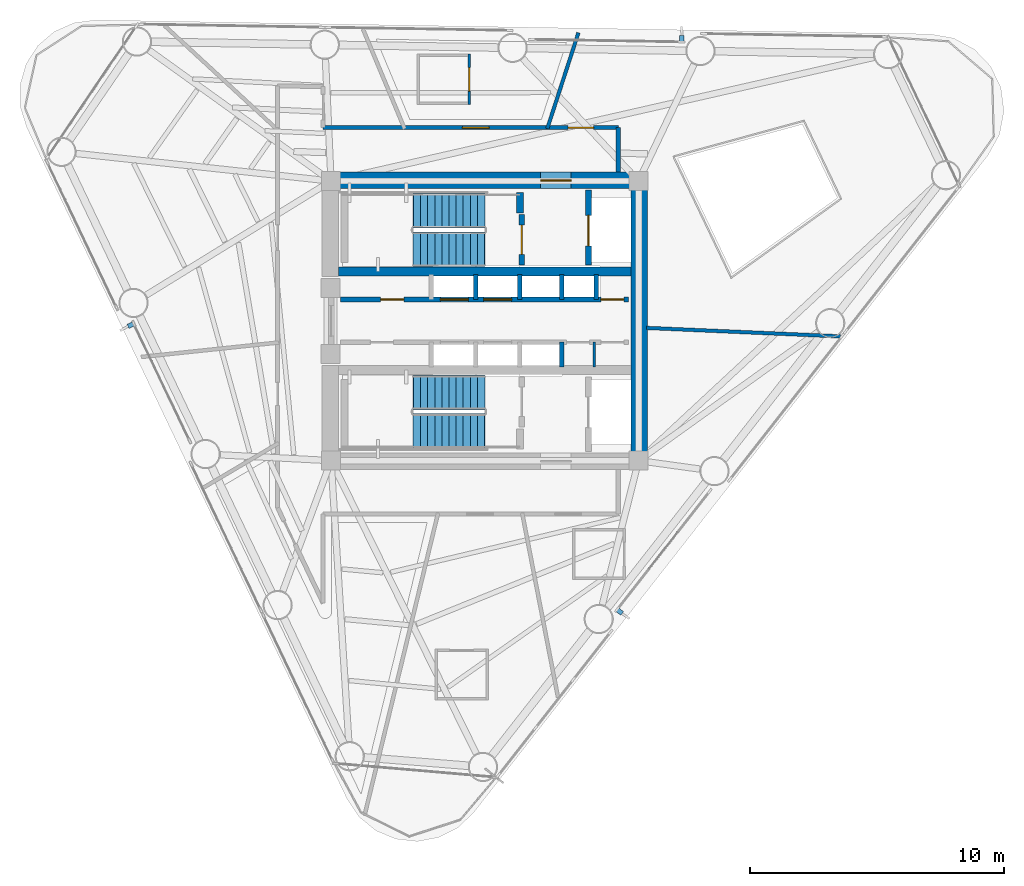
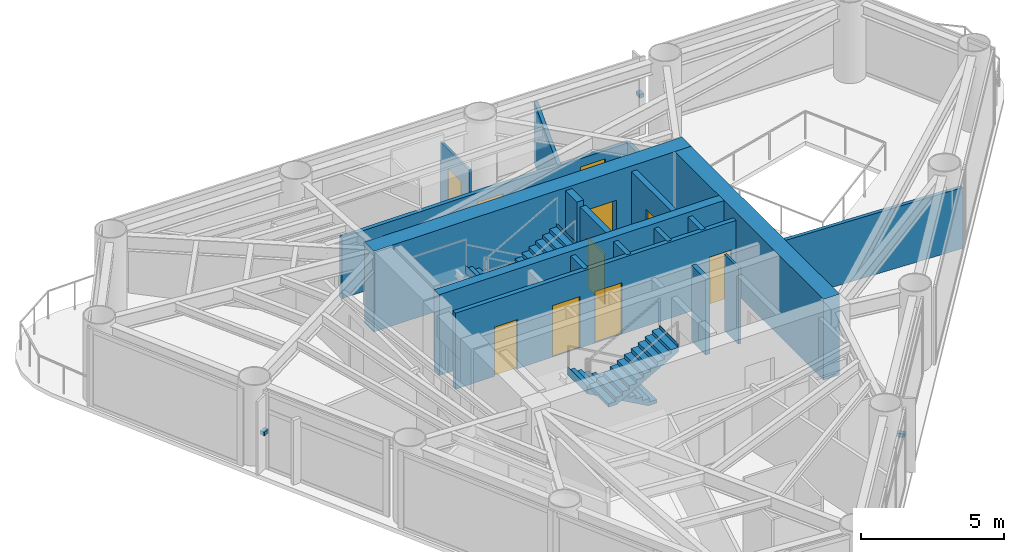
# One storey, part 6 of 9: 18 walls, 10 doors, 4 stair flights, 3 discrete accessories, 10 openings, 2 elements without a shape of their own.
"""IFC4 building model written with IfcOpenShell, lengths in metres."""

from ifc_helpers import new_model, si_unit, direction, frame, frame_2d, origin, origin_2d, place, context, subcontext, project, spatial, polyline, rectangle, outline, extrude, source, transform, mapped, material, layer, layer_set, type_object, element, fill, aggregate, save


model = new_model("IFC4")

# Units and contexts
model_context = context("Model", 3, precision=1e-05, world=origin(), true_north=direction((0.0, 1.0)))
body_context = subcontext(model_context, "Body", "Model", "MODEL_VIEW")
ifc_project = project(units=[si_unit("LENGTHUNIT", "METRE"), si_unit("AREAUNIT", "SQUARE_METRE"), si_unit("VOLUMEUNIT", "CUBIC_METRE"), si_unit("PLANEANGLEUNIT", "RADIAN"), si_unit("MASSUNIT", "GRAM", prefix="KILO")], contexts=[model_context])

# Site, building, storey
site_placement = place(None, origin())
site = spatial("IfcSite", under=ifc_project, at=site_placement, CompositionType="ELEMENT")
building_placement = place(site_placement, origin())
building = spatial("IfcBuilding", under=site, at=building_placement, Name="Yunling Apex Tower", CompositionType="ELEMENT")
storey_placement = place(building_placement, frame((0.0, 0.0, 212.14990234375)))
storey = spatial("IfcBuildingStorey", under=building, at=storey_placement, Name="L52", CompositionType="ELEMENT", Elevation=212.14990234375)

# Wall, opening, door
ifc_material_1 = material(Name="Concrete C50", Category="concrete")
ifc_layer_1 = layer(ifc_material_1, 0.64990234375)
ifc_layer_set_1 = layer_set([ifc_layer_1], Name="Concrete C50")
wall_type_1 = type_object("IfcWallType", Name="WL-COR-2", PredefinedType="SHEAR", material=ifc_layer_set_1)
wall_1_placement = place(storey_placement, frame((-6.39990234375, 5.52490234375, 0.0), z_axis=(0.0, 0.0, 1.0), x_axis=(1.0, 0.0, 0.0)))
wall_1 = element("IfcWall", 1, at=wall_1_placement, inside=storey, type_object=wall_type_1, Name="L52 North Core Shear Wall", PredefinedType="SHEAR", context=body_context, shape_type="SweptSolid", body=[
    extrude(rectangle(XDim=12.7998046875, YDim=0.64990234375, at=frame_2d((6.39990234375, 0.0))), origin(), (0.0, 0.0, 1.0), 3.4501953125),
])
opening_1_placement = place(wall_1_placement, frame((8.60009765625, 0.0, 0.0)))
opening_1 = element("IfcOpeningElement", 2, at=opening_1_placement, cuts=wall_1, Name="Opening DR-FFL-1", PredefinedType="OPENING", context=body_context, shape_type="SweptSolid", body=[
    extrude(rectangle(XDim=1.199951171875, YDim=2.199951171875, at=frame_2d((0.60009765625, 1.10009765625))), frame((0.0, 0.3349609375, 0.0), z_axis=(0.0, -1.0, 0.0), x_axis=(1.0, 0.0, 0.0)), (0.0, 0.0, 1.0), 0.669921875),
])
ifc_material_2 = material(Name="Steel Q355B", Category="steel")
door_type_1 = type_object("IfcDoorType", Name="DR-FFL-1", OperationType="NOTDEFINED", PredefinedType="DOOR", material=ifc_material_2)
door_1_placement = place(opening_1_placement, origin())
door_1 = element("IfcDoor", 3, at=door_1_placement, inside=storey, type_object=door_type_1, Name="L52 North Firefighting Lobby Door", OperationType="SINGLE_SWING_LEFT", OverallHeight=2.199951171875, OverallWidth=1.199951171875, PredefinedType="DOOR", context=body_context, shape_type="SweptSolid", body=[
    extrude(rectangle(XDim=1.199951171875, YDim=2.199951171875, at=frame_2d((0.60009765625, 1.10009765625))), frame((0.0, 0.02490234375, 0.0), z_axis=(0.0, -1.0, 0.0), x_axis=(1.0, 0.0, 0.0)), (0.0, 0.0, 1.0), 0.050048828125),
])
fill(opening_1, door_1)

# Walls
wall_2_placement = place(storey_placement, frame((6.074951171875, -5.199951171875, 0.0), z_axis=(0.0, 0.0, 1.0), x_axis=(0.0, 1.0, 0.0)))
element("IfcWall", 4, at=wall_2_placement, inside=storey, type_object=wall_type_1, Name="L52 East Core Shear Wall", PredefinedType="SHEAR", context=body_context, shape_type="SweptSolid", body=[
    extrude(rectangle(XDim=10.39990234375, YDim=0.64990234375, at=frame_2d((5.199951171875, 0.0))), origin(), (0.0, 0.0, 1.0), 3.4501953125),
])
ifc_material_3 = material(Name="Concrete C40", Category="concrete")
ifc_layer_2 = layer(ifc_material_3, 0.360107421875)
ifc_layer_set_2 = layer_set([ifc_layer_2], Name="Concrete C40")
wall_type_2 = type_object("IfcWallType", Name="WL-COR-4", PredefinedType="SHEAR", material=ifc_layer_set_2)
wall_3_placement = place(storey_placement, frame((-5.75, 1.93994140625, 0.0), z_axis=(0.0, 0.0, 1.0), x_axis=(1.0, 0.0, 0.0)))
element("IfcWall", 5, at=wall_3_placement, inside=storey, type_object=wall_type_2, Name="L52 North Internal Core Shear Wall", PredefinedType="SHEAR", context=body_context, shape_type="SweptSolid", body=[
    extrude(rectangle(XDim=11.5, YDim=0.360107421875, at=frame_2d((5.75, 0.0))), origin(), (0.0, 0.0, 1.0), 3.4501953125),
])
ifc_layer_3 = layer(ifc_material_3, 0.280029296875)
ifc_layer_set_3 = layer_set([ifc_layer_3], Name="Concrete C40")
wall_type_3 = type_object("IfcWallType", Name="WL-COR-8", PredefinedType="SHEAR", material=ifc_layer_set_3)
wall_4_placement = place(storey_placement, frame((1.3798828125, 4.25, 0.0), z_axis=(0.0, 0.0, 1.0), x_axis=(0.0, 1.0, 0.0)))
element("IfcWall", 6, at=wall_4_placement, inside=storey, type_object=wall_type_3, Name="L52 ST-1 East Landing Bearing Pier", PredefinedType="SHEAR", context=body_context, shape_type="SweptSolid", body=[
    extrude(rectangle(XDim=0.800048828125, YDim=0.280029296875, at=frame_2d((0.39990234375, 0.0))), origin(), (0.0, 0.0, 1.0), 3.4501953125),
])

# Wall, openings, doors
ifc_material_4 = material(Name="Gypsum board acoustic partition")
ifc_layer_4 = layer(ifc_material_4, 0.159912109375)
ifc_layer_set_4 = layer_set([ifc_layer_4], Name="Gypsum board acoustic partition")
wall_type_4 = type_object("IfcWallType", Name="WL-PRT-1", PredefinedType="PARTITIONING", material=ifc_layer_set_4)
wall_5_placement = place(storey_placement, frame((-6.360107421875, 7.60009765625, 0.0), z_axis=(0.0, 0.0, 1.0), x_axis=(1.0, 0.0, 0.0)))
wall_5 = element("IfcWall", 7, at=wall_5_placement, inside=storey, type_object=wall_type_4, Name="WL-CORR-L52-06", PredefinedType="PARTITIONING", context=body_context, shape_type="SweptSolid", body=[
    extrude(rectangle(XDim=11.610107421875, YDim=0.159912109375, at=frame_2d((5.80517578125, 0.0))), origin(), (0.0, 0.0, 1.0), 2.60498046875),
])
opening_2_placement = place(wall_5_placement, frame((5.4794921875, 0.0, 0.0)))
opening_2 = element("IfcOpeningElement", 8, at=opening_2_placement, cuts=wall_5, Name="Opening DR-FL-1", PredefinedType="OPENING", context=body_context, shape_type="SweptSolid", body=[
    extrude(rectangle(XDim=1.050048828125, YDim=2.199951171875, at=frame_2d((0.52490234375, 1.10009765625))), frame((0.0, 0.08984375, 0.0), z_axis=(0.0, -1.0, 0.0), x_axis=(1.0, 0.0, 0.0)), (0.0, 0.0, 1.0), 0.179931640625),
])
opening_3_placement = place(wall_5_placement, frame((9.640625, 0.0, 0.0)))
opening_3 = element("IfcOpeningElement", 9, at=opening_3_placement, cuts=wall_5, Name="Opening DR-OFF-1", PredefinedType="OPENING", context=body_context, shape_type="SweptSolid", body=[
    extrude(rectangle(XDim=1.0, YDim=2.25, at=frame_2d((0.5, 1.125))), frame((0.0, 0.08984375, 0.0), z_axis=(0.0, -1.0, 0.0), x_axis=(1.0, 0.0, 0.0)), (0.0, 0.0, 1.0), 0.179931640625),
])
ifc_material_5 = material(Name="Timber fire-rated leaf", Category="wood")
door_type_2 = type_object("IfcDoorType", Name="DR-FL-1", OperationType="NOTDEFINED", PredefinedType="DOOR", material=ifc_material_5)
door_2_placement = place(opening_2_placement, origin())
door_2 = element("IfcDoor", 10, at=door_2_placement, inside=storey, type_object=door_type_2, Name="L52 Hotel Guest Room Door", OperationType="SINGLE_SWING_RIGHT", OverallHeight=2.199951171875, OverallWidth=1.050048828125, PredefinedType="DOOR", context=body_context, shape_type="SweptSolid", body=[
    extrude(rectangle(XDim=1.050048828125, YDim=2.199951171875, at=frame_2d((0.52490234375, 1.10009765625))), frame((0.0, 0.02490234375, 0.0), z_axis=(0.0, -1.0, 0.0), x_axis=(1.0, 0.0, 0.0)), (0.0, 0.0, 1.0), 0.050048828125),
])
fill(opening_2, door_2)
ifc_material_6 = material(Name="Bronze anodised aluminium", Category="aluminium")
door_type_3 = type_object("IfcDoorType", Name="DR-OFF-1", OperationType="NOTDEFINED", PredefinedType="DOOR", material=ifc_material_6)
door_3_placement = place(opening_3_placement, origin())
door_3 = element("IfcDoor", 11, at=door_3_placement, inside=storey, type_object=door_type_3, Name="L52 Club Lounge Door", OperationType="SINGLE_SWING_LEFT", OverallHeight=2.25, OverallWidth=1.0, PredefinedType="DOOR", context=body_context, shape_type="SweptSolid", body=[
    extrude(rectangle(XDim=1.0, YDim=2.25, at=frame_2d((0.5, 1.125))), frame((0.0, 0.02490234375, 0.0), z_axis=(0.0, -1.0, 0.0), x_axis=(1.0, 0.0, 0.0)), (0.0, 0.0, 1.0), 0.050048828125),
])
fill(opening_3, door_3)

# Walls
wall_6_placement = place(storey_placement, frame((5.25, 7.60009765625, 0.0), z_axis=(0.0, 0.0, 1.0), x_axis=(0.0, -1.0, 0.0)))
element("IfcWall", 12, at=wall_6_placement, inside=storey, type_object=wall_type_4, Name="WL-CORR-L52-07", PredefinedType="PARTITIONING", context=body_context, shape_type="SweptSolid", body=[
    extrude(rectangle(XDim=1.75, YDim=0.159912109375, at=frame_2d((0.875, 0.0))), origin(), (0.0, 0.0, 1.0), 2.60498046875),
])
ifc_layer_5 = layer(ifc_material_4, 0.139892578125)
ifc_layer_set_5 = layer_set([ifc_layer_5], Name="Gypsum board acoustic partition")
wall_type_5 = type_object("IfcWallType", Name="WL-PRT-2", PredefinedType="PARTITIONING", material=ifc_layer_set_5)
wall_7_placement = place(storey_placement, frame((6.360107421875, -0.277587890625, 0.0), z_axis=(0.0, 0.0, 1.0), x_axis=(0.999047276506, -0.04364102778, 0.0)))
element("IfcWall", 13, at=wall_7_placement, inside=storey, type_object=wall_type_5, Name="WL-RAD-L52-01", PredefinedType="PARTITIONING", context=body_context, shape_type="SweptSolid", body=[
    extrude(rectangle(XDim=7.641845703125, YDim=0.139892578125, at=frame_2d((3.82080078125, 0.0))), origin(), (0.0, 0.0, 1.0), 2.60498046875),
])
wall_8_placement = place(storey_placement, frame((2.456298828125, 7.56005859375, 0.0), z_axis=(0.0, 0.0, 1.0), x_axis=(0.30904716458, 0.951046712872, 0.0)))
element("IfcWall", 14, at=wall_8_placement, inside=storey, type_object=wall_type_5, Name="WL-RAD-L52-02", PredefinedType="PARTITIONING", context=body_context, shape_type="SweptSolid", body=[
    extrude(rectangle(XDim=3.972900390625, YDim=0.139892578125, at=frame_2d((1.986328125, 0.0))), origin(), (0.0, 0.0, 1.0), 2.60498046875),
])
ifc_layer_6 = layer(ifc_material_4, 0.10009765625)
ifc_layer_set_6 = layer_set([ifc_layer_6], Name="Gypsum board acoustic partition")
wall_type_6 = type_object("IfcWallType", Name="WL-PRT-4", PredefinedType="PARTITIONING", material=ifc_layer_set_6)
wall_9_placement = place(storey_placement, frame((4.31005859375, -1.820068359375, 0.0), z_axis=(0.0, 0.0, 1.0), x_axis=(0.0, 1.0, 0.0)))
element("IfcWall", 15, at=wall_9_placement, inside=storey, type_object=wall_type_6, Name="WL-KCDIV-L52", PredefinedType="PARTITIONING", context=body_context, shape_type="SweptSolid", body=[
    extrude(rectangle(XDim=0.97998046875, YDim=0.10009765625, at=frame_2d((0.489990234375, 0.0))), origin(), (0.0, 0.0, 1.0), 3.25),
])

# Wall, opening, door
wall_10_placement = place(storey_placement, frame((-0.614013671875, 10.5029296875, 0.0), z_axis=(0.0, 0.0, 1.0), x_axis=(0.0, -1.0, 0.0)))
wall_10 = element("IfcWall", 16, at=wall_10_placement, inside=storey, type_object=wall_type_6, Name="WL-ENS-L52-6E", PredefinedType="PARTITIONING", context=body_context, shape_type="SweptSolid", body=[
    extrude(rectangle(XDim=2.0, YDim=0.10009765625, at=frame_2d((1.0, 0.0))), origin(), (0.0, 0.0, 1.0), 2.905029296875),
])
opening_4_placement = place(wall_10_placement, frame((0.5400390625, 0.0, 0.0)))
opening_4 = element("IfcOpeningElement", 17, at=opening_4_placement, cuts=wall_10, Name="Opening DR-WC-1", PredefinedType="OPENING", context=body_context, shape_type="SweptSolid", body=[
    extrude(rectangle(XDim=0.919921875, YDim=2.10009765625, at=frame_2d((0.4599609375, 1.050048828125))), frame((0.0, 0.06005859375, 0.0), z_axis=(0.0, -1.0, 0.0), x_axis=(1.0, 0.0, 0.0)), (0.0, 0.0, 1.0), 0.1201171875),
])
ifc_material_7 = material(Name="Timber moisture-resistant leaf", Category="wood")
door_type_4 = type_object("IfcDoorType", Name="DR-WC-1", OperationType="NOTDEFINED", PredefinedType="DOOR", material=ifc_material_7)
door_4_placement = place(opening_4_placement, origin())
door_4 = element("IfcDoor", 18, at=door_4_placement, inside=storey, type_object=door_type_4, Name="L52 En-Suite Door", OperationType="SINGLE_SWING_LEFT", OverallHeight=2.10009765625, OverallWidth=0.919921875, PredefinedType="DOOR", context=body_context, shape_type="SweptSolid", body=[
    extrude(rectangle(XDim=0.919921875, YDim=2.10009765625, at=frame_2d((0.4599609375, 1.050048828125))), frame((0.0, 0.02490234375, 0.0), z_axis=(0.0, -1.0, 0.0), x_axis=(1.0, 0.0, 0.0)), (0.0, 0.0, 1.0), 0.050048828125),
])
fill(opening_4, door_4)

ifc_material_8 = material(Name="Autoclaved aerated concrete masonry", Category="masonry")
ifc_layer_7 = layer(ifc_material_8, 0.219970703125)
ifc_layer_set_7 = layer_set([ifc_layer_7], Name="Autoclaved aerated concrete masonry")
wall_type_7 = type_object("IfcWallType", Name="WL-SHF-1", PredefinedType="PLUMBINGWALL", material=ifc_layer_set_7)
wall_11_placement = place(storey_placement, frame((1.449951171875, 2.199951171875, 0.0), z_axis=(0.0, 0.0, 1.0), x_axis=(0.0, 1.0, 0.0)))
wall_11 = element("IfcWall", 19, at=wall_11_placement, inside=storey, type_object=wall_type_7, Name="WL-ST1-E-L52", PredefinedType="PLUMBINGWALL", context=body_context, shape_type="SweptSolid", body=[
    extrude(rectangle(XDim=1.97998046875, YDim=0.219970703125, at=frame_2d((0.989990234375, 0.0))), origin(), (0.0, 0.0, 1.0), 3.25),
])
opening_5_placement = place(wall_11_placement, frame((0.419921875, 0.0, 0.0)))
opening_5 = element("IfcOpeningElement", 20, at=opening_5_placement, cuts=wall_11, Name="Opening DR-ST-1", PredefinedType="OPENING", context=body_context, shape_type="SweptSolid", body=[
    extrude(rectangle(XDim=1.14990234375, YDim=2.14990234375, at=frame_2d((0.574951171875, 1.074951171875))), frame((0.0, 0.1201171875, 0.0), z_axis=(0.0, -1.0, 0.0), x_axis=(1.0, 0.0, 0.0)), (0.0, 0.0, 1.0), 0.239990234375),
])
door_type_5 = type_object("IfcDoorType", Name="DR-ST-1", OperationType="NOTDEFINED", PredefinedType="DOOR", material=ifc_material_2)
door_5_placement = place(opening_5_placement, origin())
door_5 = element("IfcDoor", 21, at=door_5_placement, inside=storey, type_object=door_type_5, Name="L52 Stair ST-1 Fire Door", OperationType="SINGLE_SWING_RIGHT", OverallHeight=2.14990234375, OverallWidth=1.14990234375, PredefinedType="DOOR", context=body_context, shape_type="SweptSolid", body=[
    extrude(rectangle(XDim=1.14990234375, YDim=2.14990234375, at=frame_2d((0.574951171875, 1.074951171875))), frame((0.0, 0.02490234375, 0.0), z_axis=(0.0, -1.0, 0.0), x_axis=(1.0, 0.0, 0.0)), (0.0, 0.0, 1.0), 0.050048828125),
])
fill(opening_5, door_5)

wall_12_placement = place(storey_placement, frame((4.080078125, 2.199951171875, 0.0), z_axis=(0.0, 0.0, 1.0), x_axis=(0.0, 1.0, 0.0)))
wall_12 = element("IfcWall", 22, at=wall_12_placement, inside=storey, type_object=wall_type_7, Name="WL-FFL1-W-L52", PredefinedType="PLUMBINGWALL", context=body_context, shape_type="SweptSolid", body=[
    extrude(rectangle(XDim=2.949951171875, YDim=0.219970703125, at=frame_2d((1.47509765625, 0.0))), origin(), (0.0, 0.0, 1.0), 3.25),
])
opening_6_placement = place(wall_12_placement, frame((0.75, 0.0, 0.0)))
opening_6 = element("IfcOpeningElement", 23, at=opening_6_placement, cuts=wall_12, Name="Opening LD-FFL-1", PredefinedType="OPENING", context=body_context, shape_type="SweptSolid", body=[
    extrude(rectangle(XDim=1.199951171875, YDim=2.25, at=frame_2d((0.60009765625, 1.125))), frame((0.0, 0.1201171875, 0.0), z_axis=(0.0, -1.0, 0.0), x_axis=(1.0, 0.0, 0.0)), (0.0, 0.0, 1.0), 0.239990234375),
])
door_type_6 = type_object("IfcDoorType", Name="LD-FFL-1", OperationType="DOUBLE_DOOR_SLIDING", PredefinedType="DOOR", material=ifc_material_2)
door_6_placement = place(opening_6_placement, origin())
door_6 = element("IfcDoor", 24, at=door_6_placement, inside=storey, type_object=door_type_6, Name="L52 Lift FFL-1 Landing Door", OperationType="DOUBLE_DOOR_SLIDING", OverallHeight=2.25, OverallWidth=1.199951171875, PredefinedType="DOOR", context=body_context, shape_type="SweptSolid", body=[
    extrude(rectangle(XDim=1.199951171875, YDim=2.25, at=frame_2d((0.60009765625, 1.125))), frame((0.0, 0.02490234375, 0.0), z_axis=(0.0, -1.0, 0.0), x_axis=(1.0, 0.0, 0.0)), (0.0, 0.0, 1.0), 0.050048828125),
])
fill(opening_6, door_6)

# Walls
ifc_layer_8 = layer(ifc_material_8, 0.179931640625)
ifc_layer_set_8 = layer_set([ifc_layer_8], Name="Autoclaved aerated concrete masonry")
wall_type_8 = type_object("IfcWallType", Name="WL-SHF-2", PredefinedType="PLUMBINGWALL", material=ifc_layer_set_8)
for number, where, z_axis, x_axis, name in (
    (25, (-0.35009765625, 0.840087890625, 0.0), (0.0, 0.0, 1.0), (0.0, 1.0, 0.0), "WL-DIV-M12-L52"),
    (26, (1.3798828125, 0.840087890625, 0.0), (0.0, 0.0, 1.0), (0.0, 1.0, 0.0), "WL-BNK-MH-N-L52"),
    (27, (3.02001953125, 0.840087890625, 0.0), (0.0, 0.0, 1.0), (0.0, 1.0, 0.0), "WL-DIV-H13-L52"),
    (28, (4.3798828125, 0.840087890625, 0.0), (0.0, 0.0, 1.0), (0.0, 1.0, 0.0), "WL-END-H3E-L52"),
    (29, (3.02001953125, -1.820068359375, 0.0), (0.0, 0.0, 1.0), (0.0, 1.0, 0.0), "WL-END-H2E-L52"),
):
    element("IfcWall", number, at=place(storey_placement, frame(where, z_axis=z_axis, x_axis=x_axis)), inside=storey, type_object=wall_type_8, Name=name, PredefinedType="PLUMBINGWALL", context=body_context, shape_type="SweptSolid", body=[
        extrude(rectangle(XDim=0.97998046875, YDim=0.179931640625, at=frame_2d((0.489990234375, 0.0))), origin(), (0.0, 0.0, 1.0), 3.25),
    ])

# Wall, openings, doors
wall_13_placement = place(storey_placement, frame((-5.679931640625, 0.840087890625, 0.0), z_axis=(0.0, 0.0, 1.0), x_axis=(1.0, 0.0, 0.0)))
wall_13 = element("IfcWall", 30, at=wall_13_placement, inside=storey, type_object=wall_type_8, Name="WL-LOB-N-L52", PredefinedType="PLUMBINGWALL", context=body_context, shape_type="SweptSolid", body=[
    extrude(rectangle(XDim=11.329833984375, YDim=0.179931640625, at=frame_2d((5.6650390625, 0.0))), origin(), (0.0, 0.0, 1.0), 3.25),
])
opening_7_placement = place(wall_13_placement, frame((1.580078125, 0.0, 0.0)))
opening_7 = element("IfcOpeningElement", 31, at=opening_7_placement, cuts=wall_13, Name="Opening DR-WC-1", PredefinedType="OPENING", context=body_context, shape_type="SweptSolid", body=[
    extrude(rectangle(XDim=0.919921875, YDim=2.10009765625, at=frame_2d((0.4599609375, 1.050048828125))), frame((0.0, 0.10009765625, 0.0), z_axis=(0.0, -1.0, 0.0), x_axis=(1.0, 0.0, 0.0)), (0.0, 0.0, 1.0), 0.199951171875),
])
opening_8_placement = place(wall_13_placement, frame((3.929931640625, 0.0, 0.0)))
opening_8 = element("IfcOpeningElement", 32, at=opening_8_placement, cuts=wall_13, Name="Opening LD-PAS-1", PredefinedType="OPENING", context=body_context, shape_type="SweptSolid", body=[
    extrude(rectangle(XDim=1.10009765625, YDim=2.199951171875, at=frame_2d((0.550048828125, 1.10009765625))), frame((0.0, 0.10009765625, 0.0), z_axis=(0.0, -1.0, 0.0), x_axis=(1.0, 0.0, 0.0)), (0.0, 0.0, 1.0), 0.199951171875),
])
opening_9_placement = place(wall_13_placement, frame((5.6298828125, 0.0, 0.0)))
opening_9 = element("IfcOpeningElement", 33, at=opening_9_placement, cuts=wall_13, Name="Opening LD-PAS-1", PredefinedType="OPENING", context=body_context, shape_type="SweptSolid", body=[
    extrude(rectangle(XDim=1.10009765625, YDim=2.199951171875, at=frame_2d((0.550048828125, 1.10009765625))), frame((0.0, 0.10009765625, 0.0), z_axis=(0.0, -1.0, 0.0), x_axis=(1.0, 0.0, 0.0)), (0.0, 0.0, 1.0), 0.199951171875),
])
opening_10_placement = place(wall_13_placement, frame((10.25, 0.0, 0.0)))
opening_10 = element("IfcOpeningElement", 34, at=opening_10_placement, cuts=wall_13, Name="Opening DR-SHF-1", PredefinedType="OPENING", context=body_context, shape_type="SweptSolid", body=[
    extrude(rectangle(XDim=0.89990234375, YDim=2.050048828125, at=frame_2d((0.449951171875, 1.02490234375))), frame((0.0, 0.10009765625, 0.0), z_axis=(0.0, -1.0, 0.0), x_axis=(1.0, 0.0, 0.0)), (0.0, 0.0, 1.0), 0.199951171875),
])
door_type_7 = type_object("IfcDoorType", Name="DR-SHF-1", OperationType="NOTDEFINED", PredefinedType="DOOR", material=ifc_material_2)
door_7_placement = place(opening_10_placement, origin())
door_7 = element("IfcDoor", 35, at=door_7_placement, inside=storey, type_object=door_type_7, Name="L52 Floor Supply Store Door", OperationType="SINGLE_SWING_LEFT", OverallHeight=2.050048828125, OverallWidth=0.89990234375, PredefinedType="DOOR", context=body_context, shape_type="SweptSolid", body=[
    extrude(rectangle(XDim=0.89990234375, YDim=2.050048828125, at=frame_2d((0.449951171875, 1.02490234375))), frame((0.0, 0.02490234375, 0.0), z_axis=(0.0, -1.0, 0.0), x_axis=(1.0, 0.0, 0.0)), (0.0, 0.0, 1.0), 0.050048828125),
])
fill(opening_10, door_7)
door_8_placement = place(opening_7_placement, origin())
door_8 = element("IfcDoor", 36, at=door_8_placement, inside=storey, type_object=door_type_4, Name="L52 Floor Staff WC Door", OperationType="SINGLE_SWING_RIGHT", OverallHeight=2.10009765625, OverallWidth=0.919921875, PredefinedType="DOOR", context=body_context, shape_type="SweptSolid", body=[
    extrude(rectangle(XDim=0.919921875, YDim=2.10009765625, at=frame_2d((0.4599609375, 1.050048828125))), frame((0.0, 0.02490234375, 0.0), z_axis=(0.0, -1.0, 0.0), x_axis=(1.0, 0.0, 0.0)), (0.0, 0.0, 1.0), 0.050048828125),
])
fill(opening_7, door_8)
ifc_material_9 = material(Name="Silver anodised aluminium", Category="aluminium")
door_type_8 = type_object("IfcDoorType", Name="LD-PAS-1", OperationType="DOUBLE_DOOR_SLIDING", PredefinedType="DOOR", material=ifc_material_9)
door_9_placement = place(opening_8_placement, origin())
door_9 = element("IfcDoor", 37, at=door_9_placement, inside=storey, type_object=door_type_8, Name="L52 Lift PL-M1 Landing Door", OperationType="DOUBLE_DOOR_SLIDING", OverallHeight=2.199951171875, OverallWidth=1.10009765625, PredefinedType="DOOR", context=body_context, shape_type="SweptSolid", body=[
    extrude(rectangle(XDim=1.10009765625, YDim=2.199951171875, at=frame_2d((0.550048828125, 1.10009765625))), frame((0.0, 0.02490234375, 0.0), z_axis=(0.0, -1.0, 0.0), x_axis=(1.0, 0.0, 0.0)), (0.0, 0.0, 1.0), 0.050048828125),
])
fill(opening_8, door_9)
door_10_placement = place(opening_9_placement, origin())
door_10 = element("IfcDoor", 38, at=door_10_placement, inside=storey, type_object=door_type_8, Name="L52 Lift PL-M2 Landing Door", OperationType="DOUBLE_DOOR_SLIDING", OverallHeight=2.199951171875, OverallWidth=1.10009765625, PredefinedType="DOOR", context=body_context, shape_type="SweptSolid", body=[
    extrude(rectangle(XDim=1.10009765625, YDim=2.199951171875, at=frame_2d((0.550048828125, 1.10009765625))), frame((0.0, 0.02490234375, 0.0), z_axis=(0.0, -1.0, 0.0), x_axis=(1.0, 0.0, 0.0)), (0.0, 0.0, 1.0), 0.050048828125),
])
fill(opening_9, door_10)

# Stair, stair flights
stair_type = type_object("IfcStairType", Name="ST-TWR-2", PredefinedType="HALF_TURN_STAIR", material=ifc_material_3)
stair_1_placement = place(storey_placement, origin())
stair_1 = element("IfcStair", 39, at=stair_1_placement, inside=storey, type_object=stair_type, Name="L52 North Core Smokeproof Exit Stair ST-1", PredefinedType="HALF_TURN_STAIR")
stair_flight_type = type_object("IfcStairFlightType", Name="SFL-TWR-2", PredefinedType="STRAIGHT", material=ifc_material_3)
stair_flight_1_placement = place(storey_placement, frame((-0.010009765625, 4.330078125, 0.0), z_axis=(0.0, 0.0, 1.0), x_axis=(-1.0, 0.0, 0.0)))
stair_flight_1 = element("IfcStairFlight", 40, at=stair_flight_1_placement, type_object=stair_flight_type, Name="ST-1 flight 1", NumberOfRisers=11, NumberOfTreads=10, PredefinedType="STRAIGHT", RiserHeight=0.156818182, TreadLength=0.28, context=body_context, shape_type="SweptSolid", body=[
    extrude(outline(polyline([(-0.011962890625, 0.0), (-0.011962890625, 0.15673828125), (0.0, 0.15673828125), (0.280029296875, 0.15673828125), (0.280029296875, 0.313720703125), (0.56005859375, 0.313720703125), (0.56005859375, 0.470458984375), (0.840087890625, 0.470458984375), (0.840087890625, 0.627197265625), (1.1201171875, 0.627197265625), (1.1201171875, 0.7841796875), (1.39990234375, 0.7841796875), (1.39990234375, 0.94091796875), (1.679931640625, 0.94091796875), (1.679931640625, 1.09765625), (1.9599609375, 1.09765625), (1.9599609375, 1.254638671875), (2.239990234375, 1.254638671875), (2.239990234375, 1.411376953125), (2.52001953125, 1.411376953125), (2.52001953125, 1.568115234375), (2.800048828125, 1.568115234375), (2.800048828125, 1.72509765625), (2.81201171875, 1.72509765625), (2.81201171875, 1.385009765625), (0.3271484375, 0.0), (-0.011962890625, 0.0)])), frame((0.0, 0.68017578125, 0.0), z_axis=(0.0, -1.0, 0.0), x_axis=(1.0, 0.0, 0.0)), (0.0, 0.0, 1.0), 1.360107421875),
])
stair_flight_2_placement = place(storey_placement, frame((-2.81005859375, 2.820068359375, 1.72509765625), z_axis=(0.0, 0.0, 1.0), x_axis=(1.0, 0.0, 0.0)))
stair_flight_2 = element("IfcStairFlight", 41, at=stair_flight_2_placement, type_object=stair_flight_type, Name="ST-1 flight 2", NumberOfRisers=11, NumberOfTreads=10, PredefinedType="STRAIGHT", RiserHeight=0.156818182, TreadLength=0.28, context=body_context, shape_type="SweptSolid", body=[
    extrude(outline(polyline([(-0.011962890625, 0.0), (-0.011962890625, 0.15673828125), (0.0, 0.15673828125), (0.280029296875, 0.15673828125), (0.280029296875, 0.313720703125), (0.56005859375, 0.313720703125), (0.56005859375, 0.470458984375), (0.840087890625, 0.470458984375), (0.840087890625, 0.627197265625), (1.1201171875, 0.627197265625), (1.1201171875, 0.7841796875), (1.39990234375, 0.7841796875), (1.39990234375, 0.94091796875), (1.679931640625, 0.94091796875), (1.679931640625, 1.09765625), (1.9599609375, 1.09765625), (1.9599609375, 1.254638671875), (2.239990234375, 1.254638671875), (2.239990234375, 1.411376953125), (2.52001953125, 1.411376953125), (2.52001953125, 1.568115234375), (2.800048828125, 1.568115234375), (2.800048828125, 1.72509765625), (2.81201171875, 1.72509765625), (2.81201171875, 1.385009765625), (0.3271484375, 0.0), (-0.011962890625, 0.0)])), frame((0.0, 0.68017578125, 0.0), z_axis=(0.0, -1.0, 0.0), x_axis=(1.0, 0.0, 0.0)), (0.0, 0.0, 1.0), 1.360107421875),
])
aggregate(stair_1, [stair_flight_1, stair_flight_2])

stair_2_placement = place(storey_placement, origin())
stair_2 = element("IfcStair", 42, at=stair_2_placement, inside=storey, type_object=stair_type, Name="L52 South Core Smokeproof Exit Stair ST-2", PredefinedType="HALF_TURN_STAIR")
stair_flight_3_placement = place(storey_placement, frame((-0.010009765625, -2.820068359375, 0.0), z_axis=(0.0, 0.0, 1.0), x_axis=(-1.0, 0.0, 0.0)))
stair_flight_3 = element("IfcStairFlight", 43, at=stair_flight_3_placement, type_object=stair_flight_type, Name="ST-2 flight 1", NumberOfRisers=11, NumberOfTreads=10, PredefinedType="STRAIGHT", RiserHeight=0.156818182, TreadLength=0.28, context=body_context, shape_type="SweptSolid", body=[
    extrude(outline(polyline([(-0.011962890625, 0.0), (-0.011962890625, 0.15673828125), (0.0, 0.15673828125), (0.280029296875, 0.15673828125), (0.280029296875, 0.313720703125), (0.56005859375, 0.313720703125), (0.56005859375, 0.470458984375), (0.840087890625, 0.470458984375), (0.840087890625, 0.627197265625), (1.1201171875, 0.627197265625), (1.1201171875, 0.7841796875), (1.39990234375, 0.7841796875), (1.39990234375, 0.94091796875), (1.679931640625, 0.94091796875), (1.679931640625, 1.09765625), (1.9599609375, 1.09765625), (1.9599609375, 1.254638671875), (2.239990234375, 1.254638671875), (2.239990234375, 1.411376953125), (2.52001953125, 1.411376953125), (2.52001953125, 1.568115234375), (2.800048828125, 1.568115234375), (2.800048828125, 1.72509765625), (2.81201171875, 1.72509765625), (2.81201171875, 1.385009765625), (0.3271484375, 0.0), (-0.011962890625, 0.0)])), frame((0.0, 0.68017578125, 0.0), z_axis=(0.0, -1.0, 0.0), x_axis=(1.0, 0.0, 0.0)), (0.0, 0.0, 1.0), 1.360107421875),
])
stair_flight_4_placement = place(storey_placement, frame((-2.81005859375, -4.330078125, 1.72509765625), z_axis=(0.0, 0.0, 1.0), x_axis=(1.0, 0.0, 0.0)))
stair_flight_4 = element("IfcStairFlight", 44, at=stair_flight_4_placement, type_object=stair_flight_type, Name="ST-2 flight 2", NumberOfRisers=11, NumberOfTreads=10, PredefinedType="STRAIGHT", RiserHeight=0.156818182, TreadLength=0.28, context=body_context, shape_type="SweptSolid", body=[
    extrude(outline(polyline([(-0.011962890625, 0.0), (-0.011962890625, 0.15673828125), (0.0, 0.15673828125), (0.280029296875, 0.15673828125), (0.280029296875, 0.313720703125), (0.56005859375, 0.313720703125), (0.56005859375, 0.470458984375), (0.840087890625, 0.470458984375), (0.840087890625, 0.627197265625), (1.1201171875, 0.627197265625), (1.1201171875, 0.7841796875), (1.39990234375, 0.7841796875), (1.39990234375, 0.94091796875), (1.679931640625, 0.94091796875), (1.679931640625, 1.09765625), (1.9599609375, 1.09765625), (1.9599609375, 1.254638671875), (2.239990234375, 1.254638671875), (2.239990234375, 1.411376953125), (2.52001953125, 1.411376953125), (2.52001953125, 1.568115234375), (2.800048828125, 1.568115234375), (2.800048828125, 1.72509765625), (2.81201171875, 1.72509765625), (2.81201171875, 1.385009765625), (0.3271484375, 0.0), (-0.011962890625, 0.0)])), frame((0.0, 0.68017578125, 0.0), z_axis=(0.0, -1.0, 0.0), x_axis=(1.0, 0.0, 0.0)), (0.0, 0.0, 1.0), 1.360107421875),
])
aggregate(stair_2, [stair_flight_3, stair_flight_4])

# Discrete accessories
discrete_accessory_type = type_object("IfcDiscreteAccessoryType", Name="BK-FIN-1", PredefinedType="BRACKET", material=ifc_material_2)
shared_shape = source(origin(), body_context, "Body", "SweptSolid", [
    extrude(rectangle(XDim=0.179931640625, YDim=0.260009765625, at=origin_2d()), origin(), (0.0, 0.0, 1.0), 0.159912109375),
])
for number, where, z_axis, x_axis, name in (
    (45, (5.299072265625, -11.432861328125, 1.55517578125), (0.0, 0.0, 1.0), (0.616211460536, 0.787580748815, 0.0), "CW-L52-F1-B2-BRK-01-1"),
    (46, (7.749755859375, 11.090087890625, 1.55517578125), (0.0, 0.0, 1.0), (-0.999859635577, 0.016754376869, 0.0), "CW-L52-F2-B2-BRK-01-1"),
    (47, (-13.9189453125, -0.16162109375, 1.55517578125), (0.0, 0.0, 1.0), (0.430511096808, -0.90258528435, 0.0), "CW-L52-F3-B2-BRK-01-1"),
):
    element("IfcDiscreteAccessory", number, at=place(storey_placement, frame(where, z_axis=z_axis, x_axis=x_axis)), inside=storey, type_object=discrete_accessory_type, Name=name, PredefinedType="BRACKET", context=body_context, shape_type="MappedRepresentation", body=[
        mapped(shared_shape, transform((0.0, 0.0, 0.0), scale=1.0)),
    ])

save(model, "model.ifc")
